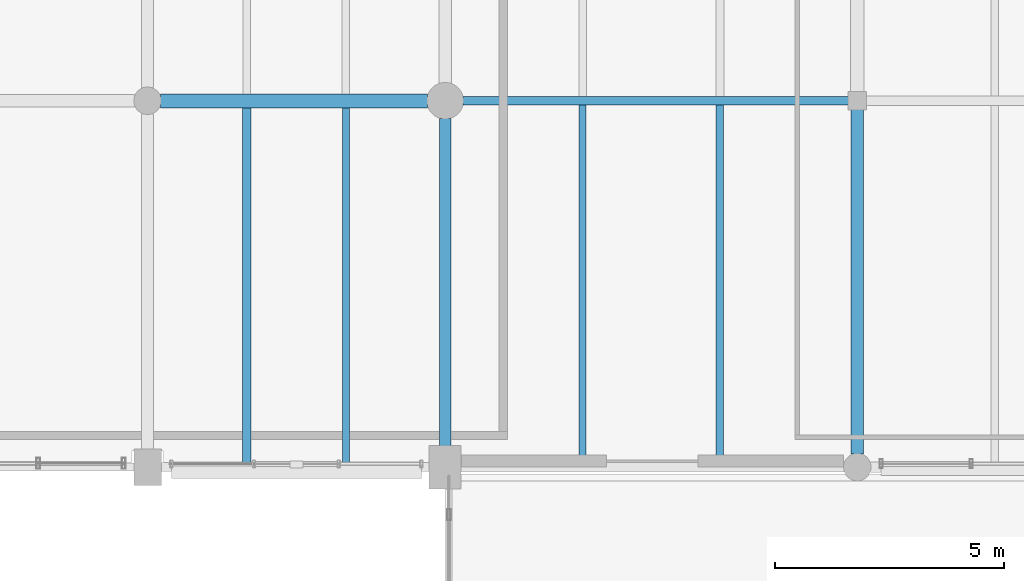
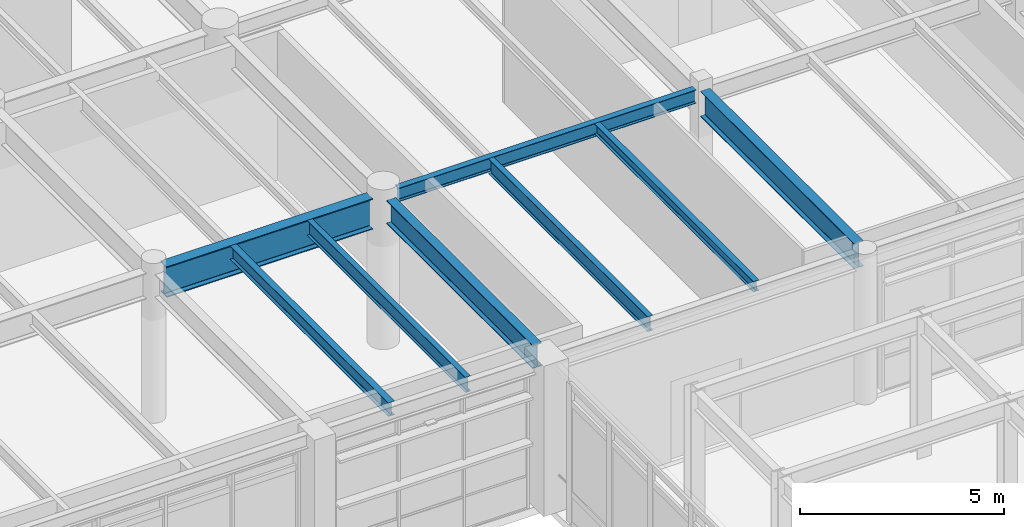
# One storey, part 64 of 200: 8 beams.
"""IFC4 building model written with IfcOpenShell, lengths in metres."""

from ifc_helpers import new_model, si_unit, direction, frame, origin, origin_2d, place, context, subcontext, project, spatial, i_section, extrude, material, material_profile, profile_set, type_object, element, save


model = new_model("IFC4")

# Units and contexts
model_context = context("Model", 3, precision=1e-05, world=origin(), true_north=direction((0.0, 1.0)))
body_context = subcontext(model_context, "Body", "Model", "MODEL_VIEW")
ifc_project = project(units=[si_unit("LENGTHUNIT", "METRE"), si_unit("AREAUNIT", "SQUARE_METRE"), si_unit("VOLUMEUNIT", "CUBIC_METRE"), si_unit("PLANEANGLEUNIT", "RADIAN"), si_unit("MASSUNIT", "GRAM", prefix="KILO"), si_unit("THERMODYNAMICTEMPERATUREUNIT", "KELVIN"), si_unit("POWERUNIT", "WATT")], contexts=[model_context])

# Site, building, storey
site_placement = place(None, origin())
site = spatial("IfcSite", under=ifc_project, at=site_placement, CompositionType="ELEMENT")
building_placement = place(site_placement, origin())
building = spatial("IfcBuilding", under=site, at=building_placement, Name="Tepalcoro Natatorium and Aquatics Centre", CompositionType="ELEMENT")
storey_placement = place(building_placement, frame((0.0, 0.0, 5.39990234375)))
storey = spatial("IfcBuildingStorey", under=building, at=storey_placement, Name="L01", CompositionType="ELEMENT", Elevation=5.39990234375)

# Beams
ifc_material = material(Name="Steel ASTM A992 Grade 50 (Fy 345 MPa)", Category="steel")
ifc_material_profile_1 = material_profile(ifc_material, i_section(OverallWidth=0.177978515625, OverallDepth=0.406005859375, WebThickness=0.008056640625, FlangeThickness=0.012939453125, FilletRadius=0.013916015625, at=origin_2d()), Name="W16X40")
ifc_profile_set_1 = profile_set([ifc_material_profile_1], Name="Steel ASTM A992 Grade 50 (Fy 345 MPa)")
beam_type_1 = type_object("IfcBeamType", Name="BM_W16x40", PredefinedType="BEAM", material=ifc_profile_set_1)
beam_1_placement = place(storey_placement, frame((53.385009765625, 94.0, 4.281982421875), z_axis=(1.0, 0.0, 0.0), x_axis=(0.0, 1.0, 0.0)))
element("IfcBeam", 1, at=beam_1_placement, inside=storey, type_object=beam_type_1, Name="V4 L01 Grid Girder X", PredefinedType="BEAM", context=body_context, shape_type="SweptSolid", body=[
    extrude(i_section(OverallWidth=0.177978515625, OverallDepth=0.406005859375, WebThickness=0.008056640625, FlangeThickness=0.012939453125, FilletRadius=0.013916015625, at=origin_2d()), origin(), (0.0, 0.0, 1.0), 8.429931640625),
])
ifc_material_profile_2 = material_profile(ifc_material, i_section(OverallWidth=0.25390625, OverallDepth=0.700927734375, WebThickness=0.014892578125, FlangeThickness=0.028076171875, FilletRadius=0.013916015625, at=origin_2d()), Name="W27X129")
ifc_profile_set_2 = profile_set([ifc_material_profile_2], Name="Steel ASTM A992 Grade 50 (Fy 345 MPa)")
beam_type_2 = type_object("IfcBeamType", Name="BM_W27x129", PredefinedType="BEAM", material=ifc_profile_set_2)
beam_2_placement = place(storey_placement, frame((53.0, 86.4599609375, 4.134521484375), z_axis=(0.0, 1.0, 0.0), x_axis=(-1.0, 0.0, 0.0)))
element("IfcBeam", 2, at=beam_2_placement, inside=storey, type_object=beam_type_2, Name="V4 L01 Grid Girder Y", PredefinedType="BEAM", context=body_context, shape_type="SweptSolid", body=[
    extrude(i_section(OverallWidth=0.25390625, OverallDepth=0.700927734375, WebThickness=0.014892578125, FlangeThickness=0.028076171875, FilletRadius=0.013916015625, at=origin_2d()), origin(), (0.0, 0.0, 1.0), 7.155029296875),
])
ifc_material_profile_3 = material_profile(ifc_material, i_section(OverallWidth=0.26708984375, OverallDepth=0.761962890625, WebThickness=0.013916015625, FlangeThickness=0.02197265625, FilletRadius=0.013916015625, at=origin_2d()), Name="W30X116")
ifc_profile_set_3 = profile_set([ifc_material_profile_3], Name="Steel ASTM A992 Grade 50 (Fy 345 MPa)")
beam_type_3 = type_object("IfcBeamType", Name="BM_W30x116", PredefinedType="BEAM", material=ifc_profile_set_3)
beam_3_placement = place(storey_placement, frame((62.0, 86.284912109375, 4.10400390625), z_axis=(0.0, 1.0, 0.0), x_axis=(-1.0, 0.0, 0.0)))
element("IfcBeam", 3, at=beam_3_placement, inside=storey, type_object=beam_type_3, Name="V4 L01 Grid Girder Y", PredefinedType="BEAM", context=body_context, shape_type="SweptSolid", body=[
    extrude(i_section(OverallWidth=0.26708984375, OverallDepth=0.761962890625, WebThickness=0.013916015625, FlangeThickness=0.02197265625, FilletRadius=0.013916015625, at=origin_2d()), origin(), (0.0, 0.0, 1.0), 7.530029296875),
])
ifc_material_profile_4 = material_profile(ifc_material, i_section(OverallWidth=0.304931640625, OverallDepth=0.9189453125, WebThickness=0.01708984375, FlangeThickness=0.028076171875, FilletRadius=0.013916015625, at=origin_2d()), Name="W36X170")
ifc_profile_set_4 = profile_set([ifc_material_profile_4], Name="Steel ASTM A992 Grade 50 (Fy 345 MPa)")
beam_type_4 = type_object("IfcBeamType", Name="BM_W36x170", PredefinedType="BEAM", material=ifc_profile_set_4)
beam_4_placement = place(storey_placement, frame((46.784912109375, 94.0, 4.025634765625), z_axis=(1.0, 0.0, 0.0), x_axis=(0.0, 1.0, 0.0)))
element("IfcBeam", 4, at=beam_4_placement, inside=storey, type_object=beam_type_4, Name="V4 L01 Grid Girder X", PredefinedType="BEAM", context=body_context, shape_type="SweptSolid", body=[
    extrude(i_section(OverallWidth=0.304931640625, OverallDepth=0.9189453125, WebThickness=0.01708984375, FlangeThickness=0.028076171875, FilletRadius=0.013916015625, at=origin_2d()), origin(), (0.0, 0.0, 1.0), 5.830078125),
])
ifc_material_profile_5 = material_profile(ifc_material, i_section(OverallWidth=0.1650390625, OverallDepth=0.31005859375, WebThickness=0.006103515625, FlangeThickness=0.010009765625, FilletRadius=0.013916015625, at=origin_2d()), Name="W12X26")
ifc_profile_set_5 = profile_set([ifc_material_profile_5], Name="Steel ASTM A992 Grade 50 (Fy 345 MPa)")
beam_type_5 = type_object("IfcBeamType", Name="JS_W12x26", PredefinedType="JOIST", material=ifc_profile_set_5)
beam_5_placement = place(storey_placement, frame((59.0, 86.10498046875, 4.330078125), z_axis=(0.0, 1.0, 0.0), x_axis=(-1.0, 0.0, 0.0)))
element("IfcBeam", 5, at=beam_5_placement, inside=storey, type_object=beam_type_5, Name="V4 L01 Floor Joist", PredefinedType="JOIST", context=body_context, shape_type="SweptSolid", body=[
    extrude(i_section(OverallWidth=0.1650390625, OverallDepth=0.31005859375, WebThickness=0.006103515625, FlangeThickness=0.010009765625, FilletRadius=0.013916015625, at=origin_2d()), origin(), (0.0, 0.0, 1.0), 7.805908203125),
])
ifc_material_profile_6 = material_profile(ifc_material, i_section(OverallWidth=0.178955078125, OverallDepth=0.409912109375, WebThickness=0.009033203125, FlangeThickness=0.013916015625, FilletRadius=0.013916015625, at=origin_2d()), Name="W16X45")
ifc_profile_set_6 = profile_set([ifc_material_profile_6], Name="Steel ASTM A992 Grade 50 (Fy 345 MPa)")
beam_type_6 = type_object("IfcBeamType", Name="JS_W16x45", PredefinedType="JOIST", material=ifc_profile_set_6)
beam_6_placement = place(storey_placement, frame((48.666748046875, 86.095458984375, 4.280029296875), z_axis=(0.0, 1.0, 0.0), x_axis=(-1.0, 0.0, 0.0)))
element("IfcBeam", 6, at=beam_6_placement, inside=storey, type_object=beam_type_6, Name="V4 L01 Floor Joist", PredefinedType="JOIST", context=body_context, shape_type="SweptSolid", body=[
    extrude(i_section(OverallWidth=0.178955078125, OverallDepth=0.409912109375, WebThickness=0.009033203125, FlangeThickness=0.013916015625, FilletRadius=0.013916015625, at=origin_2d()), origin(), (0.0, 0.0, 1.0), 7.751953125),
])
ifc_material_profile_7 = material_profile(ifc_material, i_section(OverallWidth=0.153076171875, OverallDepth=0.455078125, WebThickness=0.008056640625, FlangeThickness=0.012939453125, FilletRadius=0.013916015625, at=origin_2d()), Name="W18X40")
ifc_profile_set_7 = profile_set([ifc_material_profile_7], Name="Steel ASTM A992 Grade 50 (Fy 345 MPa)")
beam_type_7 = type_object("IfcBeamType", Name="JS_W18x40", PredefinedType="JOIST", material=ifc_profile_set_7)
beam_7_placement = place(storey_placement, frame((50.833251953125, 86.095458984375, 4.257568359375), z_axis=(0.0, 1.0, 0.0), x_axis=(-1.0, 0.0, 0.0)))
element("IfcBeam", 7, at=beam_7_placement, inside=storey, type_object=beam_type_7, Name="V4 L01 Floor Joist", PredefinedType="JOIST", context=body_context, shape_type="SweptSolid", body=[
    extrude(i_section(OverallWidth=0.153076171875, OverallDepth=0.455078125, WebThickness=0.008056640625, FlangeThickness=0.012939453125, FilletRadius=0.013916015625, at=origin_2d()), origin(), (0.0, 0.0, 1.0), 7.751953125),
])
beam_8_placement = place(storey_placement, frame((56.0, 86.10498046875, 4.257568359375), z_axis=(0.0, 1.0, 0.0), x_axis=(-1.0, 0.0, 0.0)))
element("IfcBeam", 8, at=beam_8_placement, inside=storey, type_object=beam_type_7, Name="V4 L01 Floor Joist", PredefinedType="JOIST", context=body_context, shape_type="SweptSolid", body=[
    extrude(i_section(OverallWidth=0.153076171875, OverallDepth=0.455078125, WebThickness=0.008056640625, FlangeThickness=0.012939453125, FilletRadius=0.013916015625, at=origin_2d()), origin(), (0.0, 0.0, 1.0), 7.805908203125),
])

save(model, "model.ifc")
